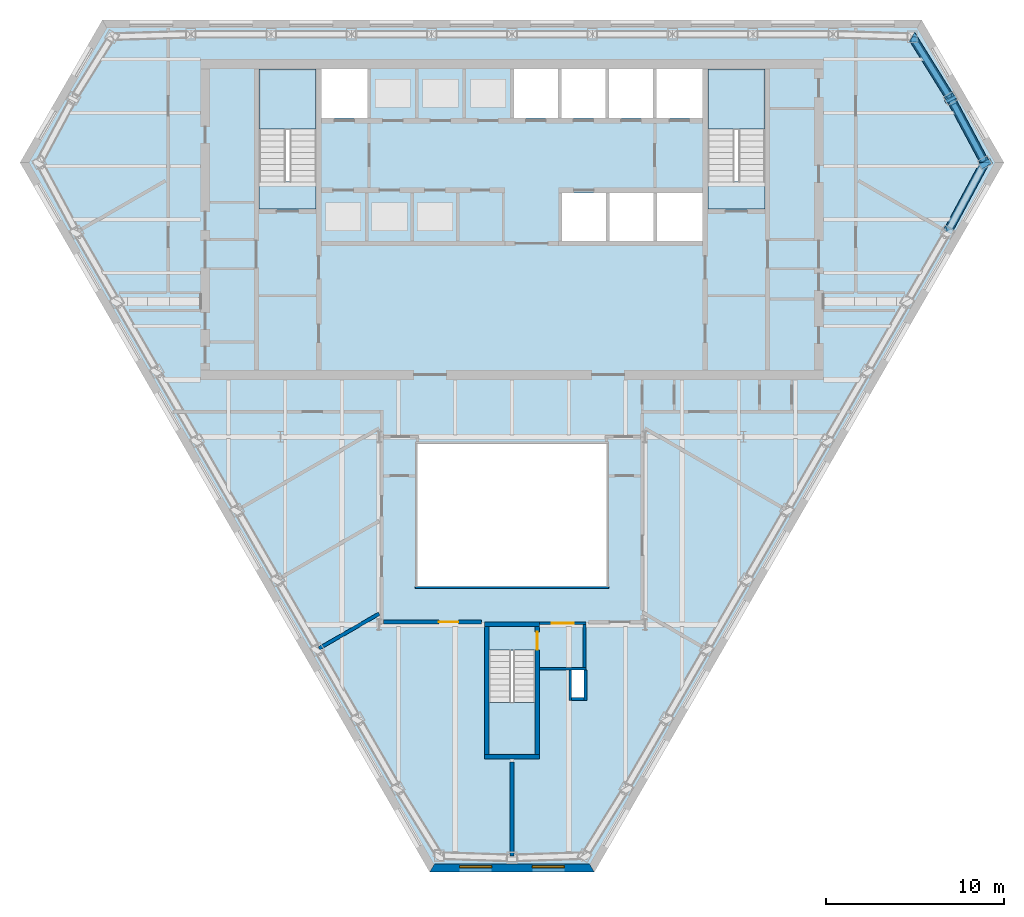
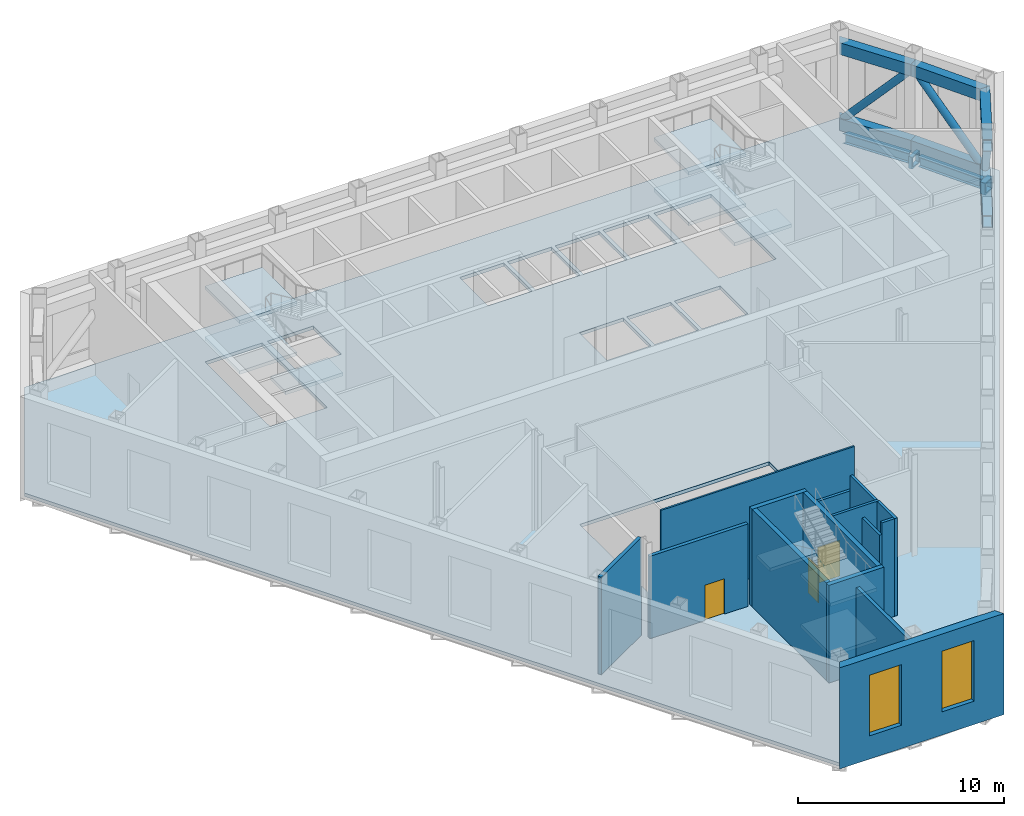
# One storey, part 6 of 15: 15 walls, 10 slabs, 9 members, 4 beams, 3 doors, 2 shading devices, 5 openings, 3 elements without a shape of their own.
"""IFC4 building model written with IfcOpenShell, lengths in metres."""

from ifc_helpers import new_model, si_unit, direction, frame, frame_2d, origin, origin_2d, place, context, subcontext, project, spatial, polyline, rectangle, hollow_rectangle, hollow_circle, i_section, outline, extrude, clip, halfspace, material, layer, layer_set, material_profile, profile_set, type_object, element, fill, aggregate, save


model = new_model("IFC4")

# Units and contexts
model_context = context("Model", 3, precision=1e-05, world=origin(), true_north=direction((0.0, 1.0)))
body_context = subcontext(model_context, "Body", "Model", "MODEL_VIEW")
ifc_project = project(units=[si_unit("LENGTHUNIT", "METRE"), si_unit("AREAUNIT", "SQUARE_METRE"), si_unit("VOLUMEUNIT", "CUBIC_METRE"), si_unit("PLANEANGLEUNIT", "RADIAN"), si_unit("MASSUNIT", "GRAM", prefix="KILO")], contexts=[model_context])

# Site, building, storey
site_placement = place(None, origin())
site = spatial("IfcSite", under=ifc_project, at=site_placement, CompositionType="ELEMENT")
building_placement = place(site_placement, origin())
building = spatial("IfcBuilding", under=site, at=building_placement, Name="Njiva Tower", CompositionType="ELEMENT")
storey_placement = place(building_placement, frame((0.0, 0.0, 133.8)))
storey = spatial("IfcBuildingStorey", under=building, at=storey_placement, Name="L28", CompositionType="ELEMENT", Elevation=133.8)

# Beams
ifc_material_1 = material(Name="Steel S355 J2", Category="steel")
ifc_material_profile_1 = material_profile(ifc_material_1, hollow_rectangle(XDim=0.7, YDim=0.7, WallThickness=0.08, at=origin_2d()), Name="BOX 700x700x80")
ifc_profile_set_1 = profile_set([ifc_material_profile_1], Name="Steel S355 J2")
beam_type_1 = type_object("IfcBeamType", Name="B19 Column jog beam BOX 700x700x80", PredefinedType="BEAM", material=ifc_profile_set_1)
beam_1_placement = place(storey_placement, frame((26.662, 11.989, -0.55), z_axis=(-0.479086844992, 0.877767506209, 0.0), x_axis=(-0.877767506209, -0.479086844992, 0.0)))
element("IfcBeam", 1, at=beam_1_placement, inside=storey, type_object=beam_type_1, Name="Column jog beam T2-B049", PredefinedType="BEAM", context=body_context, shape_type="SweptSolid", body=[
    extrude(hollow_rectangle(XDim=0.7, YDim=0.7, WallThickness=0.08, at=origin_2d()), origin(), (0.0, 0.0, 1.0), 0.2985),
])
beam_2_placement = place(storey_placement, frame((24.689, 15.668, -0.55), z_axis=(-0.45494050276, 0.890521835189, 0.0), x_axis=(-0.890521835189, -0.45494050276, 0.0)))
element("IfcBeam", 2, at=beam_2_placement, inside=storey, type_object=beam_type_1, Name="Column jog beam T2-B048", PredefinedType="BEAM", context=body_context, shape_type="SweptSolid", body=[
    extrude(hollow_rectangle(XDim=0.7, YDim=0.7, WallThickness=0.08, at=origin_2d()), origin(), (0.0, 0.0, 1.0), 0.2066),
])
ifc_material_profile_2 = material_profile(ifc_material_1, i_section(OverallWidth=0.3, OverallDepth=0.59, WebThickness=0.013, FlangeThickness=0.025, at=origin_2d()), Name="HEA 600")
ifc_profile_set_2 = profile_set([ifc_material_profile_2], Name="Steel S355 J2")
beam_type_2 = type_object("IfcBeamType", Name="B27 Short-span spandrel beam HEA 600", PredefinedType="SPANDREL", material=ifc_profile_set_2)
beam_3_placement = place(storey_placement, frame((26.5, 12.287, -0.495), z_axis=(-0.471492229029, 0.881870216055, 0.0), x_axis=(-0.881870216055, -0.471492229029, 0.0)))
element("IfcBeam", 3, at=beam_3_placement, inside=storey, type_object=beam_type_2, Name="Short-span spandrel beam T2-B113", PredefinedType="SPANDREL", context=body_context, shape_type="SweptSolid", body=[
    extrude(i_section(OverallWidth=0.3, OverallDepth=0.59, WebThickness=0.013, FlangeThickness=0.025, at=origin_2d()), origin(), (0.0, 0.0, 1.0), 3.6162),
])
beam_4_placement = place(storey_placement, frame((24.521, 15.962, -0.495), z_axis=(-0.527939630624, 0.849281900441, 0.0), x_axis=(-0.849281900441, -0.527939630624, 0.0)))
element("IfcBeam", 4, at=beam_4_placement, inside=storey, type_object=beam_type_2, Name="Short-span spandrel beam T2-B111", PredefinedType="SPANDREL", context=body_context, shape_type="Clipping", body=[
    clip(extrude(i_section(OverallWidth=0.3, OverallDepth=0.59, WebThickness=0.013, FlangeThickness=0.025, at=origin_2d()), origin(), (0.0, 0.0, 1.0), 3.6513), halfspace(frame((-0.0262, 0.0, 3.522), z_axis=(-0.527939630624, 0.0, 0.849281900441), x_axis=(0.0, 1.0, 0.0)), False)),
])

# Members
ifc_material_profile_3 = material_profile(ifc_material_1, hollow_rectangle(XDim=0.5, YDim=0.7, WallThickness=0.04, at=origin_2d()), Name="BOX 700x500x40")
ifc_profile_set_3 = profile_set([ifc_material_profile_3], Name="Steel S355 J2")
member_type_1 = type_object("IfcMemberType", Name="TC2 Belt truss chord BOX 700x500x40", PredefinedType="CHORD", material=ifc_profile_set_3)
member_1_placement = place(storey_placement, frame((24.4309, 8.2631, 0.35), z_axis=(0.473803939062, 0.880630357942, 0.0), x_axis=(-0.880630357942, 0.473803939062, 0.0)))
element("IfcMember", 5, at=member_1_placement, inside=storey, type_object=member_type_1, Name="Belt truss chord T2-TR100", PredefinedType="CHORD", context=body_context, shape_type="Clipping", body=[
    clip(clip(extrude(hollow_rectangle(XDim=0.5, YDim=0.7, WallThickness=0.04, at=origin_2d()), origin(), (0.0, 0.0, 1.0), 4.6323), halfspace(frame((0.0, -134.15, 0.034), z_axis=(0.015001978621, 0.0, -0.999887463987), x_axis=(0.0, -1.0, 0.0)), False)), halfspace(frame((0.0, -134.15, 4.4683), z_axis=(0.472720406132, 0.0, 0.881212470194), x_axis=(0.0, 1.0, 0.0)), False)),
])
member_2_placement = place(storey_placement, frame((24.4309, 8.2631, 4.86), z_axis=(0.473803939062, 0.880630357942, 0.0), x_axis=(-0.880630357942, 0.473803939062, 0.0)))
element("IfcMember", 6, at=member_2_placement, inside=storey, type_object=member_type_1, Name="Belt truss chord T2-TR101", PredefinedType="CHORD", context=body_context, shape_type="Clipping", body=[
    clip(clip(extrude(hollow_rectangle(XDim=0.5, YDim=0.7, WallThickness=0.04, at=origin_2d()), origin(), (0.0, 0.0, 1.0), 4.6323), halfspace(frame((0.0, -138.66, 0.034), z_axis=(0.015001978621, 0.0, -0.999887463987), x_axis=(0.0, -1.0, 0.0)), False)), halfspace(frame((0.0, -138.66, 4.4683), z_axis=(0.472720406132, 0.0, 0.881212470194), x_axis=(0.0, 1.0, 0.0)), False)),
])
member_3_placement = place(storey_placement, frame((26.6253, 12.0534, 0.35), z_axis=(-0.471630110482, 0.881796483825, 0.0), x_axis=(-0.881796483825, -0.471630110482, 0.0)))
element("IfcMember", 7, at=member_3_placement, inside=storey, type_object=member_type_1, Name="Belt truss chord T2-TR103", PredefinedType="CHORD", context=body_context, shape_type="Clipping", body=[
    clip(clip(extrude(hollow_rectangle(XDim=0.5, YDim=0.7, WallThickness=0.04, at=origin_2d()), origin(), (0.0, 0.0, 1.0), 4.2857), halfspace(frame((0.0, -134.15, 0.164), z_axis=(0.472714362573, 0.0, -0.881215712194), x_axis=(0.0, -1.0, 0.0)), False)), halfspace(frame((0.0, -134.15, 4.2477), z_axis=(0.032532867016, 0.0, 0.999470666185), x_axis=(0.0, 1.0, 0.0)), False)),
])
member_4_placement = place(storey_placement, frame((26.6253, 12.0534, 4.86), z_axis=(-0.471630110482, 0.881796483825, 0.0), x_axis=(-0.881796483825, -0.471630110482, 0.0)))
element("IfcMember", 8, at=member_4_placement, inside=storey, type_object=member_type_1, Name="Belt truss chord T2-TR104", PredefinedType="CHORD", context=body_context, shape_type="Clipping", body=[
    clip(clip(extrude(hollow_rectangle(XDim=0.5, YDim=0.7, WallThickness=0.04, at=origin_2d()), origin(), (0.0, 0.0, 1.0), 4.2857), halfspace(frame((0.0, -138.66, 0.164), z_axis=(0.472714362573, 0.0, -0.881215712194), x_axis=(0.0, -1.0, 0.0)), False)), halfspace(frame((0.0, -138.66, 4.2477), z_axis=(0.032532867016, 0.0, 0.999470666185), x_axis=(0.0, 1.0, 0.0)), False)),
])
member_5_placement = place(storey_placement, frame((24.6421, 15.7667, 0.35), z_axis=(-0.527972311316, 0.84926158425, 0.0), x_axis=(-0.84926158425, -0.527972311316, 0.0)))
element("IfcMember", 9, at=member_5_placement, inside=storey, type_object=member_type_1, Name="Belt truss chord T2-TR106", PredefinedType="CHORD", context=body_context, shape_type="Clipping", body=[
    clip(clip(extrude(hollow_rectangle(XDim=0.5, YDim=0.7, WallThickness=0.04, at=origin_2d()), origin(), (0.0, 0.0, 1.0), 4.2855), halfspace(frame((0.0, -134.15, 0.038), z_axis=(0.032528360186, 0.0, -0.999470812872), x_axis=(0.0, -1.0, 0.0)), False)), halfspace(frame((0.0, -134.15, 4.1215), z_axis=(0.472647183279, 0.0, 0.881251746176), x_axis=(0.0, 1.0, 0.0)), False)),
])
member_6_placement = place(storey_placement, frame((24.6421, 15.7667, 4.86), z_axis=(-0.527972311316, 0.84926158425, 0.0), x_axis=(-0.84926158425, -0.527972311316, 0.0)))
element("IfcMember", 10, at=member_6_placement, inside=storey, type_object=member_type_1, Name="Belt truss chord T2-TR107", PredefinedType="CHORD", context=body_context, shape_type="Clipping", body=[
    clip(clip(extrude(hollow_rectangle(XDim=0.5, YDim=0.7, WallThickness=0.04, at=origin_2d()), origin(), (0.0, 0.0, 1.0), 4.2855), halfspace(frame((0.0, -138.66, 0.038), z_axis=(0.032528360186, 0.0, -0.999470812872), x_axis=(0.0, -1.0, 0.0)), False)), halfspace(frame((0.0, -138.66, 4.1215), z_axis=(0.472647183279, 0.0, 0.881251746176), x_axis=(0.0, 1.0, 0.0)), False)),
])
ifc_material_2 = material(Name="Steel S355 J2H", Category="steel")
ifc_material_profile_4 = material_profile(ifc_material_2, hollow_circle(Radius=0.2032, WallThickness=0.016, at=origin_2d()), Name="CHS 406.4x16")
ifc_profile_set_4 = profile_set([ifc_material_profile_4], Name="Steel S355 J2H")
member_type_2 = type_object("IfcMemberType", Name="TD2 Belt truss diagonal CHS 406.4x16", PredefinedType="BRACE", material=ifc_profile_set_4)
member_7_placement = place(storey_placement, frame((24.3699, 8.1498, 5.0254), z_axis=(0.33218345796, 0.6174090449, -0.71306396735), x_axis=(-0.880630357942, 0.473803939062, 0.0)))
element("IfcMember", 11, at=member_7_placement, inside=storey, type_object=member_type_2, Name="Belt truss diagonal T2-TR102", PredefinedType="BRACE", context=body_context, shape_type="Clipping", body=[
    clip(clip(extrude(hollow_circle(Radius=0.2032, WallThickness=0.016, at=origin_2d()), origin(), (0.0, 0.0, 1.0), 6.7888), halfspace(frame((17.5995, -13.7054, -12.7666), z_axis=(0.0, 0.70109897908, -0.71306396735), x_axis=(0.0, -0.71306396735, -0.70109897908)), False)), halfspace(frame((17.5995, -16.3906, -10.0356), z_axis=(0.0, -0.70109897908, 0.71306396735), x_axis=(0.0, 0.71306396735, 0.70109897908)), False)),
])
member_8_placement = place(storey_placement, frame((26.6164, 12.0702, 0.1899), z_axis=(-0.316560688242, 0.591866582742, 0.741271393548), x_axis=(-0.881796483825, -0.471630110482, 0.0)))
element("IfcMember", 12, at=member_8_placement, inside=storey, type_object=member_type_2, Name="Belt truss diagonal T2-TR105", PredefinedType="BRACE", context=body_context, shape_type="Clipping", body=[
    clip(clip(extrude(hollow_circle(Radius=0.2032, WallThickness=0.016, at=origin_2d()), origin(), (0.0, 0.0, 1.0), 6.5161), halfspace(frame((29.1629, -1.0799, 1.6525), z_axis=(0.0, -0.671205423926, -0.741271393548), x_axis=(0.0, -0.741271393548, 0.671205423926)), False)), halfspace(frame((29.1629, 1.4908, 4.4916), z_axis=(0.0, 0.671205423926, 0.741271393548), x_axis=(0.0, 0.741271393548, -0.671205423926)), False)),
])
member_9_placement = place(storey_placement, frame((24.6985, 15.6759, 5.0201), z_axis=(-0.354370189725, 0.570016613158, -0.741284580548), x_axis=(-0.84926158425, -0.527972311316, 0.0)))
element("IfcMember", 13, at=member_9_placement, inside=storey, type_object=member_type_2, Name="Belt truss diagonal T2-TR108", PredefinedType="BRACE", context=body_context, shape_type="Clipping", body=[
    clip(clip(extrude(hollow_circle(Radius=0.2032, WallThickness=0.016, at=origin_2d()), origin(), (0.0, 0.0, 1.0), 6.516), halfspace(frame((29.252, -0.5379, 0.1876), z_axis=(0.0, 0.67119086007, -0.741284580548), x_axis=(0.0, -0.741284580548, -0.67119086007)), False)), halfspace(frame((29.252, -3.1085, 3.0268), z_axis=(0.0, -0.67119086007, 0.741284580548), x_axis=(0.0, 0.741284580548, 0.67119086007)), False)),
])

# Stair, slabs
ifc_material_3 = material(Name="Concrete C40/50", Category="concrete")
stair_type_1 = type_object("IfcStairType", Name="ST4 Exit stair 1500", PredefinedType="HALF_TURN_STAIR", material=ifc_material_3)
stair_1_placement = place(storey_placement, origin())
stair_1 = element("IfcStair", 14, at=stair_1_placement, inside=storey, type_object=stair_type_1, Name="Stair A", PredefinedType="DOUBLE_RETURN_STAIR")
ifc_layer_1 = layer(ifc_material_3, 0.2)
ifc_layer_set_1 = layer_set([ifc_layer_1], Name="Concrete C40/50")
slab_type_1 = type_object("IfcSlabType", Name="FL9 Stair landing 200", PredefinedType="LANDING", material=ifc_layer_set_1)
slab_1_placement = place(storey_placement, frame((0.0, 0.0, 1.3)))
slab_1 = element("IfcSlab", 15, at=slab_1_placement, type_object=slab_type_1, Name="ST-A landing 1", PredefinedType="LANDING", context=body_context, shape_type="SweptSolid", body=[
    extrude(outline(polyline([(-14.206, 14.07), (-10.994, 14.07), (-10.994, 17.45), (-14.206, 17.45), (-14.206, 14.07)])), origin(), (0.0, 0.0, 1.0), 0.2),
])
slab_2_placement = place(storey_placement, frame((0.0, 0.0, 2.8)))
slab_2 = element("IfcSlab", 16, at=slab_2_placement, type_object=slab_type_1, Name="ST-A landing 2", PredefinedType="LANDING", context=body_context, shape_type="SweptSolid", body=[
    extrude(outline(polyline([(-14.206, 9.6), (-10.994, 9.6), (-10.994, 11.1), (-14.206, 11.1), (-14.206, 9.6)])), origin(), (0.0, 0.0, 1.0), 0.2),
])
slab_3_placement = place(storey_placement, frame((0.0, 0.0, 4.3)))
slab_3 = element("IfcSlab", 17, at=slab_3_placement, type_object=slab_type_1, Name="ST-A landing 3", PredefinedType="LANDING", context=body_context, shape_type="SweptSolid", body=[
    extrude(outline(polyline([(-14.206, 14.07), (-10.994, 14.07), (-10.994, 17.45), (-14.206, 17.45), (-14.206, 14.07)])), origin(), (0.0, 0.0, 1.0), 0.2),
])
aggregate(stair_1, [slab_1, slab_2, slab_3])

stair_2_placement = place(storey_placement, origin())
stair_2 = element("IfcStair", 18, at=stair_2_placement, inside=storey, type_object=stair_type_1, Name="Stair B", PredefinedType="DOUBLE_RETURN_STAIR")
slab_4_placement = place(storey_placement, frame((0.0, 0.0, 1.3)))
slab_4 = element("IfcSlab", 19, at=slab_4_placement, type_object=slab_type_1, Name="ST-B landing 1", PredefinedType="LANDING", context=body_context, shape_type="SweptSolid", body=[
    extrude(outline(polyline([(10.994, 14.07), (14.206, 14.07), (14.206, 17.45), (10.994, 17.45), (10.994, 14.07)])), origin(), (0.0, 0.0, 1.0), 0.2),
])
slab_5_placement = place(storey_placement, frame((0.0, 0.0, 2.8)))
slab_5 = element("IfcSlab", 20, at=slab_5_placement, type_object=slab_type_1, Name="ST-B landing 2", PredefinedType="LANDING", context=body_context, shape_type="SweptSolid", body=[
    extrude(outline(polyline([(10.994, 9.6), (14.206, 9.6), (14.206, 11.1), (10.994, 11.1), (10.994, 9.6)])), origin(), (0.0, 0.0, 1.0), 0.2),
])
slab_6_placement = place(storey_placement, frame((0.0, 0.0, 4.3)))
slab_6 = element("IfcSlab", 21, at=slab_6_placement, type_object=slab_type_1, Name="ST-B landing 3", PredefinedType="LANDING", context=body_context, shape_type="SweptSolid", body=[
    extrude(outline(polyline([(10.994, 14.07), (14.206, 14.07), (14.206, 17.45), (10.994, 17.45), (10.994, 14.07)])), origin(), (0.0, 0.0, 1.0), 0.2),
])
aggregate(stair_2, [slab_4, slab_5, slab_6])

stair_type_2 = type_object("IfcStairType", Name="ST1 Exit stair 1250", PredefinedType="HALF_TURN_STAIR", material=ifc_material_3)
stair_3_placement = place(storey_placement, origin())
stair_3 = element("IfcStair", 22, at=stair_3_placement, inside=storey, type_object=stair_type_2, Name="Stair C", PredefinedType="DOUBLE_RETURN_STAIR")
slab_7_placement = place(storey_placement, frame((0.0, 0.0, 1.3)))
slab_7 = element("IfcSlab", 23, at=slab_7_placement, type_object=slab_type_1, Name="ST-C landing 1", PredefinedType="LANDING", context=body_context, shape_type="SweptSolid", body=[
    extrude(outline(polyline([(-1.306, -21.05), (1.306, -21.05), (1.306, -18.13), (-1.306, -18.13), (-1.306, -21.05)])), origin(), (0.0, 0.0, 1.0), 0.2),
])
slab_8_placement = place(storey_placement, frame((0.0, 0.0, 2.8)))
slab_8 = element("IfcSlab", 24, at=slab_8_placement, type_object=slab_type_1, Name="ST-C landing 2", PredefinedType="LANDING", context=body_context, shape_type="SweptSolid", body=[
    extrude(outline(polyline([(-1.306, -15.16), (1.306, -15.16), (1.306, -13.85), (-1.306, -13.85), (-1.306, -15.16)])), origin(), (0.0, 0.0, 1.0), 0.2),
])
slab_9_placement = place(storey_placement, frame((0.0, 0.0, 4.3)))
slab_9 = element("IfcSlab", 25, at=slab_9_placement, type_object=slab_type_1, Name="ST-C landing 3", PredefinedType="LANDING", context=body_context, shape_type="SweptSolid", body=[
    extrude(outline(polyline([(-1.306, -21.05), (1.306, -21.05), (1.306, -18.13), (-1.306, -18.13), (-1.306, -21.05)])), origin(), (0.0, 0.0, 1.0), 0.2),
])
aggregate(stair_3, [slab_7, slab_8, slab_9])

# Slab
ifc_material_4 = material(Name="Concrete C30/37", Category="concrete")
ifc_layer_2 = layer(ifc_material_4, 0.2)
ifc_layer_set_2 = layer_set([ifc_layer_2], Name="Concrete C30/37")
slab_type_2 = type_object("IfcSlabType", Name="SL16 Composite floor slab 200", PredefinedType="FLOOR", material=ifc_layer_set_2)
slab_10_placement = place(storey_placement, frame((0.0, 0.0, -0.2)))
element("IfcSlab", 26, at=slab_10_placement, inside=storey, type_object=slab_type_2, Name="Floor slab L28", PredefinedType="FLOOR", context=body_context, shape_type="SweptSolid", body=[
    extrude(outline(polyline([(27.3652, 12.1979), (4.4901, -27.4229), (-4.4901, -27.4229), (-27.3652, 12.1979), (-22.8751, 19.975), (22.8751, 19.975), (27.3652, 12.1979)]), holes=[polyline([(10.994, 11.13), (14.206, 11.13), (14.206, 17.45), (10.994, 17.45), (10.994, 11.13)]), polyline([(8.125, 14.7), (10.7, 14.7), (10.7, 17.45), (8.125, 17.45), (8.125, 14.7)]), polyline([(8.1333, 7.8), (10.7, 7.8), (10.7, 10.5), (8.1333, 10.5), (8.1333, 7.8)]), polyline([(5.4667, 7.8), (7.9333, 7.8), (7.9333, 10.5), (5.4667, 10.5), (5.4667, 7.8)]), polyline([(5.45, 14.7), (7.925, 14.7), (7.925, 17.45), (5.45, 17.45), (5.45, 14.7)]), polyline([(5.31, -11.6), (5.31, -3.6), (-5.31, -3.6), (-5.31, -11.6), (5.31, -11.6)]), polyline([(2.8, 7.8), (5.2667, 7.8), (5.2667, 10.5), (2.8, 10.5), (2.8, 7.8)]), polyline([(5.25, 14.7), (5.25, 17.45), (2.775, 17.45), (2.775, 14.7), (5.25, 14.7)]), polyline([(3.35, -17.85), (4.05, -17.85), (4.05, -16.3), (3.35, -16.3), (3.35, -17.85)]), polyline([(0.1, 14.7), (2.575, 14.7), (2.575, 17.45), (0.1, 17.45), (0.1, 14.7)]), polyline([(1.306, -21.05), (1.306, -15.19), (-1.306, -15.19), (-1.306, -21.05), (1.306, -21.05)]), polyline([(-10.7, 14.7), (-8.125, 14.7), (-8.125, 17.45), (-10.7, 17.45), (-10.7, 14.7)]), polyline([(-10.994, 11.13), (-10.994, 17.45), (-14.206, 17.45), (-14.206, 11.13), (-10.994, 11.13)])]), origin(), (0.0, 0.0, 1.0), 0.2),
])

# Wall
ifc_material_5 = material(Name="Blockwork", Category="masonry")
ifc_layer_3 = layer(ifc_material_5, 0.2)
ifc_layer_set_3 = layer_set([ifc_layer_3], Name="Blockwork")
wall_type_1 = type_object("IfcWallType", Name="WT22 Plant room wall 200", PredefinedType="PARTITIONING", material=ifc_layer_set_3)
wall_1_placement = place(storey_placement, frame((-10.834, -15.084, 0.0), z_axis=(0.0, 0.0, 1.0), x_axis=(0.866023159588, 0.500003887042, 0.0)))
element("IfcWall", 27, at=wall_1_placement, inside=storey, type_object=wall_type_1, Name="Partition T2-P009", PredefinedType="PARTITIONING", context=body_context, shape_type="SweptSolid", body=[
    extrude(rectangle(XDim=3.896, YDim=0.2, at=frame_2d((1.948, 0.0))), origin(), (0.0, 0.0, 1.0), 5.8),
])

# Wall, opening, door
wall_2_placement = place(storey_placement, frame((-7.21, -13.6, 0.0), z_axis=(0.0, 0.0, 1.0), x_axis=(1.0, 0.0, 0.0)))
wall_2 = element("IfcWall", 28, at=wall_2_placement, inside=storey, type_object=wall_type_1, Name="Partition T2-P013", PredefinedType="PARTITIONING", context=body_context, shape_type="SweptSolid", body=[
    extrude(rectangle(XDim=5.51, YDim=0.2, at=frame_2d((2.755, 0.0))), origin(), (0.0, 0.0, 1.0), 4.89),
])
opening_1_placement = place(wall_2_placement, frame((3.098, 0.0, 0.0)))
opening_1 = element("IfcOpeningElement", 29, at=opening_1_placement, cuts=wall_2, Name="Opening T2-D008", PredefinedType="OPENING", context=body_context, shape_type="SweptSolid", body=[
    extrude(rectangle(XDim=1.1, YDim=2.1, at=frame_2d((0.55, 1.05))), frame((0.0, 0.11, 0.0), z_axis=(0.0, -1.0, 0.0), x_axis=(1.0, 0.0, 0.0)), (0.0, 0.0, 1.0), 0.22),
])
ifc_material_6 = material(Name="Steel door set", Category="steel")
door_type_1 = type_object("IfcDoorType", Name="D34 Plant door 1100x2100", OperationType="SINGLE_SWING_LEFT", PredefinedType="DOOR", material=ifc_material_6)
door_1_placement = place(opening_1_placement, origin())
door_1 = element("IfcDoor", 30, at=door_1_placement, inside=storey, type_object=door_type_1, Name="Door T2-D008", OperationType="SINGLE_SWING_RIGHT", OverallHeight=2.1, OverallWidth=1.1, PredefinedType="DOOR", context=body_context, shape_type="SweptSolid", body=[
    extrude(rectangle(XDim=1.1, YDim=2.1, at=frame_2d((0.55, 1.05))), frame((0.0, 0.025, 0.0), z_axis=(0.0, -1.0, 0.0), x_axis=(1.0, 0.0, 0.0)), (0.0, 0.0, 1.0), 0.05),
])
fill(opening_1, door_1)

# Walls
ifc_layer_4 = layer(ifc_material_5, 0.2)
ifc_layer_set_4 = layer_set([ifc_layer_4], Name="Blockwork")
wall_type_2 = type_object("IfcWallType", Name="WT23 Refuge wall 200", PredefinedType="PARTITIONING", material=ifc_layer_set_4)
wall_3_placement = place(storey_placement, frame((0.0, -26.748, 0.0), z_axis=(0.0, 0.0, 1.0), x_axis=(0.0, 1.0, 0.0)))
element("IfcWall", 31, at=wall_3_placement, inside=storey, type_object=wall_type_2, Name="Partition T2-P015", PredefinedType="PARTITIONING", context=body_context, shape_type="SweptSolid", body=[
    extrude(rectangle(XDim=5.298, YDim=0.2, at=frame_2d((2.649, 0.0))), origin(), (0.0, 0.0, 1.0), 5.25),
])
ifc_layer_5 = layer(ifc_material_5, 0.15)
ifc_layer_set_5 = layer_set([ifc_layer_5], Name="Blockwork")
wall_type_3 = type_object("IfcWallType", Name="WT4 Stair partition 150", PredefinedType="PARTITIONING", material=ifc_layer_set_5)
wall_4_placement = place(storey_placement, frame((1.55, -16.225, 0.0), z_axis=(0.0, 0.0, 1.0), x_axis=(1.0, 0.0, 0.0)))
element("IfcWall", 32, at=wall_4_placement, inside=storey, type_object=wall_type_3, Name="Stair C vestibule wall south", PredefinedType="PARTITIONING", context=body_context, shape_type="SweptSolid", body=[
    extrude(rectangle(XDim=2.6, YDim=0.15, at=frame_2d((1.3, 0.0))), origin(), (0.0, 0.0, 1.0), 5.8),
])
wall_5_placement = place(storey_placement, frame((4.075, -16.15, 0.0), z_axis=(0.0, 0.0, 1.0), x_axis=(0.0, 1.0, 0.0)))
element("IfcWall", 33, at=wall_5_placement, inside=storey, type_object=wall_type_3, Name="Stair C vestibule wall east", PredefinedType="PARTITIONING", context=body_context, shape_type="SweptSolid", body=[
    extrude(rectangle(XDim=2.4, YDim=0.15, at=frame_2d((1.2, 0.0))), origin(), (0.0, 0.0, 1.0), 5.8),
])

# Wall, opening, door
wall_6_placement = place(storey_placement, frame((1.55, -13.675, 0.0), z_axis=(0.0, 0.0, 1.0), x_axis=(1.0, 0.0, 0.0)))
wall_6 = element("IfcWall", 34, at=wall_6_placement, inside=storey, type_object=wall_type_3, Name="Stair C vestibule wall north", PredefinedType="PARTITIONING", context=body_context, shape_type="SweptSolid", body=[
    extrude(rectangle(XDim=2.6, YDim=0.15, at=frame_2d((1.3, 0.0))), origin(), (0.0, 0.0, 1.0), 4.89),
])
opening_2_placement = place(wall_6_placement, frame((0.675, 0.0, 0.0)))
opening_2 = element("IfcOpeningElement", 35, at=opening_2_placement, cuts=wall_6, Name="Opening T2-D938", PredefinedType="OPENING", context=body_context, shape_type="SweptSolid", body=[
    extrude(rectangle(XDim=1.25, YDim=2.1, at=frame_2d((0.625, 1.05))), frame((0.0, 0.085, 0.0), z_axis=(0.0, -1.0, 0.0), x_axis=(1.0, 0.0, 0.0)), (0.0, 0.0, 1.0), 0.17),
])
ifc_material_7 = material(Name="Glazed steel fire door", Category="steel")
door_type_2 = type_object("IfcDoorType", Name="D8 Vestibule corridor door 1250x2100 glazed", OperationType="SINGLE_SWING_LEFT", PredefinedType="DOOR", material=ifc_material_7)
door_2_placement = place(opening_2_placement, origin())
door_2 = element("IfcDoor", 36, at=door_2_placement, inside=storey, type_object=door_type_2, Name="Stair vestibule corridor door", OperationType="SINGLE_SWING_RIGHT", OverallHeight=2.1, OverallWidth=1.25, PredefinedType="DOOR", context=body_context, shape_type="SweptSolid", body=[
    extrude(rectangle(XDim=1.25, YDim=2.1, at=frame_2d((0.625, 1.05))), frame((0.0, 0.025, 0.0), z_axis=(0.0, -1.0, 0.0), x_axis=(1.0, 0.0, 0.0)), (0.0, 0.0, 1.0), 0.05),
])
fill(opening_2, door_2)

# Walls
wall_7_placement = place(storey_placement, frame((3.275, -18.0, 0.0), z_axis=(0.0, 0.0, 1.0), x_axis=(0.0, 1.0, 0.0)))
element("IfcWall", 37, at=wall_7_placement, inside=storey, type_object=wall_type_3, Name="Stair C pressurisation shaft wall", PredefinedType="PARTITIONING", context=body_context, shape_type="SweptSolid", body=[
    extrude(rectangle(XDim=1.7, YDim=0.15, at=frame_2d((0.85, 0.0))), origin(), (0.0, 0.0, 1.0), 5.11),
])
wall_8_placement = place(storey_placement, frame((3.35, -17.925, 0.0), z_axis=(0.0, 0.0, 1.0), x_axis=(1.0, 0.0, 0.0)))
element("IfcWall", 38, at=wall_8_placement, inside=storey, type_object=wall_type_3, Name="Stair C pressurisation shaft wall", PredefinedType="PARTITIONING", context=body_context, shape_type="SweptSolid", body=[
    extrude(rectangle(XDim=0.7, YDim=0.15, at=frame_2d((0.35, 0.0))), origin(), (0.0, 0.0, 1.0), 5.8),
])
wall_9_placement = place(storey_placement, frame((4.125, -18.0, 0.0), z_axis=(0.0, 0.0, 1.0), x_axis=(0.0, 1.0, 0.0)))
element("IfcWall", 39, at=wall_9_placement, inside=storey, type_object=wall_type_3, Name="Stair C pressurisation shaft wall", PredefinedType="PARTITIONING", context=body_context, shape_type="SweptSolid", body=[
    extrude(rectangle(XDim=1.7, YDim=0.15, at=frame_2d((0.85, 0.0))), origin(), (0.0, 0.0, 1.0), 5.8),
])
ifc_layer_6 = layer(ifc_material_3, 0.25)
ifc_layer_set_6 = layer_set([ifc_layer_6], Name="Concrete C40/50")
wall_type_4 = type_object("IfcWallType", Name="WT9 Stair enclosure wall 250", PredefinedType="SHEAR", material=ifc_layer_set_6)
wall_10_placement = place(storey_placement, frame((-1.425, -21.05, 0.0), z_axis=(0.0, 0.0, 1.0), x_axis=(0.0, 1.0, 0.0)))
element("IfcWall", 40, at=wall_10_placement, inside=storey, type_object=wall_type_4, Name="Stair C wall west", PredefinedType="SHEAR", context=body_context, shape_type="SweptSolid", body=[
    extrude(rectangle(XDim=7.2, YDim=0.25, at=frame_2d((3.6, 0.0))), origin(), (0.0, 0.0, 1.0), 5.8),
])

# Wall, opening, door
wall_11_placement = place(storey_placement, frame((1.425, -21.05, 0.0), z_axis=(0.0, 0.0, 1.0), x_axis=(0.0, 1.0, 0.0)))
wall_11 = element("IfcWall", 41, at=wall_11_placement, inside=storey, type_object=wall_type_4, Name="Stair C wall east", PredefinedType="SHEAR", context=body_context, shape_type="SweptSolid", body=[
    extrude(rectangle(XDim=7.2, YDim=0.25, at=frame_2d((3.6, 0.0))), origin(), (0.0, 0.0, 1.0), 5.8),
])
opening_3_placement = place(wall_11_placement, frame((5.89, 0.0, 0.0)))
opening_3 = element("IfcOpeningElement", 42, at=opening_3_placement, cuts=wall_11, Name="Opening T2-D937", PredefinedType="OPENING", context=body_context, shape_type="SweptSolid", body=[
    extrude(rectangle(XDim=1.0, YDim=2.1, at=frame_2d((0.5, 1.05))), frame((0.0, 0.135, 0.0), z_axis=(0.0, -1.0, 0.0), x_axis=(1.0, 0.0, 0.0)), (0.0, 0.0, 1.0), 0.27),
])
door_type_3 = type_object("IfcDoorType", Name="D9 Stair vestibule door 1000x2100 glazed", OperationType="SINGLE_SWING_LEFT", PredefinedType="DOOR", material=ifc_material_7)
door_3_placement = place(opening_3_placement, origin())
door_3 = element("IfcDoor", 43, at=door_3_placement, inside=storey, type_object=door_type_3, Name="Stair C door", OperationType="SINGLE_SWING_LEFT", OverallHeight=2.1, OverallWidth=1.0, PredefinedType="DOOR", context=body_context, shape_type="SweptSolid", body=[
    extrude(rectangle(XDim=1.0, YDim=2.1, at=frame_2d((0.5, 1.05))), frame((0.0, 0.025, 0.0), z_axis=(0.0, -1.0, 0.0), x_axis=(1.0, 0.0, 0.0)), (0.0, 0.0, 1.0), 0.05),
])
fill(opening_3, door_3)

# Walls
for number, where, z_axis, x_axis, name in (
    (44, (-1.55, -21.175, 0.0), (0.0, 0.0, 1.0), (1.0, 0.0, 0.0), "Stair C wall south"),
    (45, (-1.55, -13.725, 0.0), (0.0, 0.0, 1.0), (1.0, 0.0, 0.0), "Stair C wall north"),
):
    element("IfcWall", number, at=place(storey_placement, frame(where, z_axis=z_axis, x_axis=x_axis)), inside=storey, type_object=wall_type_4, Name=name, PredefinedType="SHEAR", context=body_context, shape_type="SweptSolid", body=[
        extrude(rectangle(XDim=3.1, YDim=0.25, at=frame_2d((1.55, 0.0))), origin(), (0.0, 0.0, 1.0), 5.8),
    ])

# Wall, openings, shading devices
ifc_material_8 = material(Name="Brick masonry, buff", Category="masonry")
ifc_layer_7 = layer(ifc_material_8, 0.45)
ifc_layer_set_7 = layer_set([ifc_layer_7], Name="Brick masonry, buff")
wall_type_5 = type_object("IfcWallType", Name="WT94 Brick pier and spandrel wall 450, buff", PredefinedType="SOLIDWALL", material=ifc_layer_set_7)
wall_12_placement = place(storey_placement, frame((-4.4901, -27.4229, -0.18), z_axis=(0.0, 0.0, 1.0), x_axis=(1.0, 0.0, 0.0)))
wall_12 = element("IfcWall", 46, at=wall_12_placement, inside=storey, type_object=wall_type_5, Name="Facade wall S", PredefinedType="SOLIDWALL", context=body_context, shape_type="SweptSolid", body=[
    extrude(outline(polyline([(-0.1299, -0.225), (9.1101, -0.225), (8.8503, 0.225), (0.1299, 0.225), (-0.1299, -0.225)])), origin(), (0.0, 0.0, 1.0), 6.0),
])
opening_4_placement = place(wall_12_placement, frame((1.5494, 0.0, 1.38)))
opening_4 = element("IfcOpeningElement", 47, at=opening_4_placement, cuts=wall_12, Name="Opening T2-LV23", PredefinedType="OPENING", context=body_context, shape_type="SweptSolid", body=[
    extrude(rectangle(XDim=1.8, YDim=3.6, at=frame_2d((0.9, 1.8))), frame((0.0, 0.235, 0.0), z_axis=(0.0, -1.0, 0.0), x_axis=(1.0, 0.0, 0.0)), (0.0, 0.0, 1.0), 0.47),
])
opening_5_placement = place(wall_12_placement, frame((5.6307, 0.0, 1.38)))
opening_5 = element("IfcOpeningElement", 48, at=opening_5_placement, cuts=wall_12, Name="Opening T2-LV24", PredefinedType="OPENING", context=body_context, shape_type="SweptSolid", body=[
    extrude(rectangle(XDim=1.8, YDim=3.6, at=frame_2d((0.9, 1.8))), frame((0.0, 0.235, 0.0), z_axis=(0.0, -1.0, 0.0), x_axis=(1.0, 0.0, 0.0)), (0.0, 0.0, 1.0), 0.47),
])
ifc_material_9 = material(Name="Aluminium louvre blades", Category="aluminium")
shading_device_type = type_object("IfcShadingDeviceType", Name="LV2 Plant louvre 1800x3600", PredefinedType="JALOUSIE", material=ifc_material_9)
shading_device_1_placement = place(opening_4_placement, origin())
shading_device_1 = element("IfcShadingDevice", 49, at=shading_device_1_placement, inside=storey, type_object=shading_device_type, Name="Plant louvre", PredefinedType="JALOUSIE", context=body_context, shape_type="SweptSolid", body=[
    extrude(rectangle(XDim=1.8, YDim=3.6, at=frame_2d((0.9, 1.8))), frame((0.0, 0.125, 0.0), z_axis=(0.0, -1.0, 0.0), x_axis=(1.0, 0.0, 0.0)), (0.0, 0.0, 1.0), 0.1),
])
fill(opening_4, shading_device_1)
shading_device_2_placement = place(opening_5_placement, origin())
shading_device_2 = element("IfcShadingDevice", 50, at=shading_device_2_placement, inside=storey, type_object=shading_device_type, Name="Plant louvre", PredefinedType="JALOUSIE", context=body_context, shape_type="SweptSolid", body=[
    extrude(rectangle(XDim=1.8, YDim=3.6, at=frame_2d((0.9, 1.8))), frame((0.0, 0.125, 0.0), z_axis=(0.0, -1.0, 0.0), x_axis=(1.0, 0.0, 0.0)), (0.0, 0.0, 1.0), 0.1),
])
fill(opening_5, shading_device_2)

# Wall
ifc_material_10 = material(Name="Fire-resisting glazing EI 90", Category="glass")
ifc_layer_8 = layer(ifc_material_10, 0.1)
ifc_layer_set_8 = layer_set([ifc_layer_8], Name="Fire-resisting glazing EI 90")
wall_type_6 = type_object("IfcWallType", Name="WT95 Fire-resisting glazed screen EI 90", PredefinedType="PARTITIONING", material=ifc_layer_set_8)
wall_13_placement = place(storey_placement, frame((-5.43, -11.67, 0.0), z_axis=(0.0, 0.0, 1.0), x_axis=(1.0, 0.0, 0.0)))
element("IfcWall", 51, at=wall_13_placement, inside=storey, type_object=wall_type_6, Name="Atrium fire screen south", PredefinedType="PARTITIONING", context=body_context, shape_type="SweptSolid", body=[
    extrude(rectangle(XDim=10.86, YDim=0.1, at=frame_2d((5.43, 0.0))), origin(), (0.0, 0.0, 1.0), 5.8),
])

save(model, "model.ifc")
